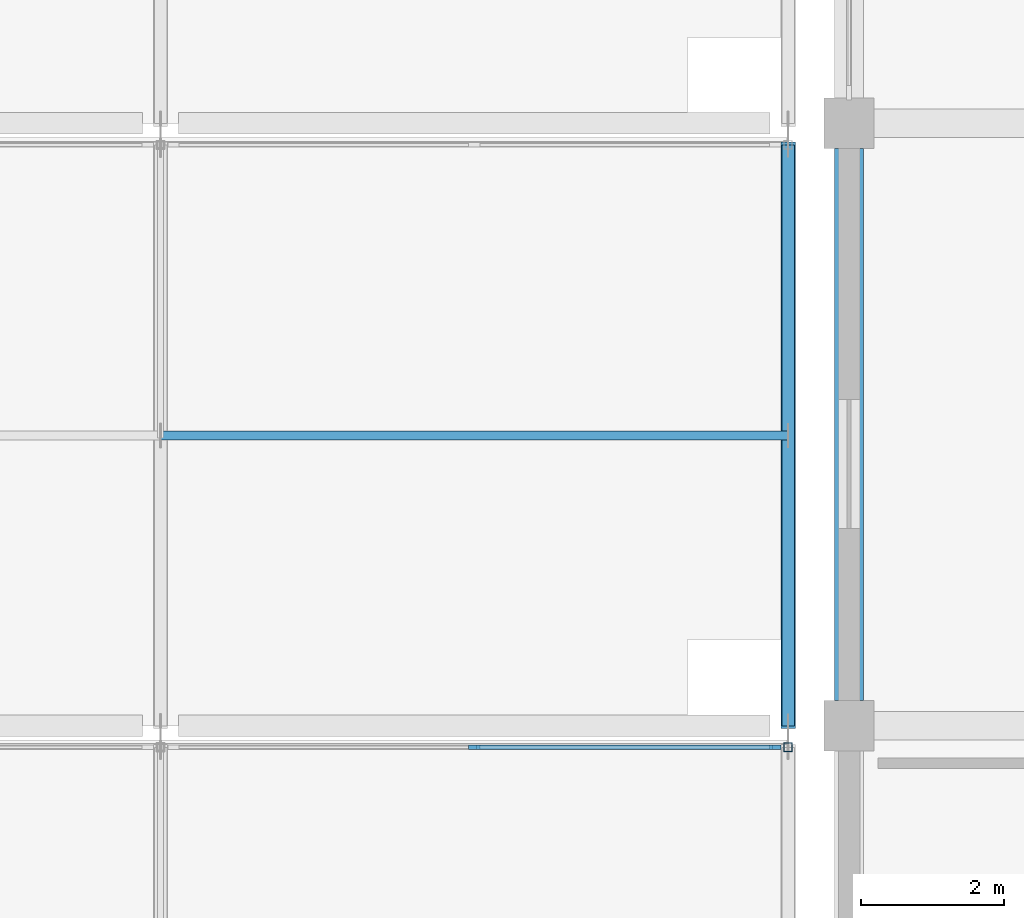
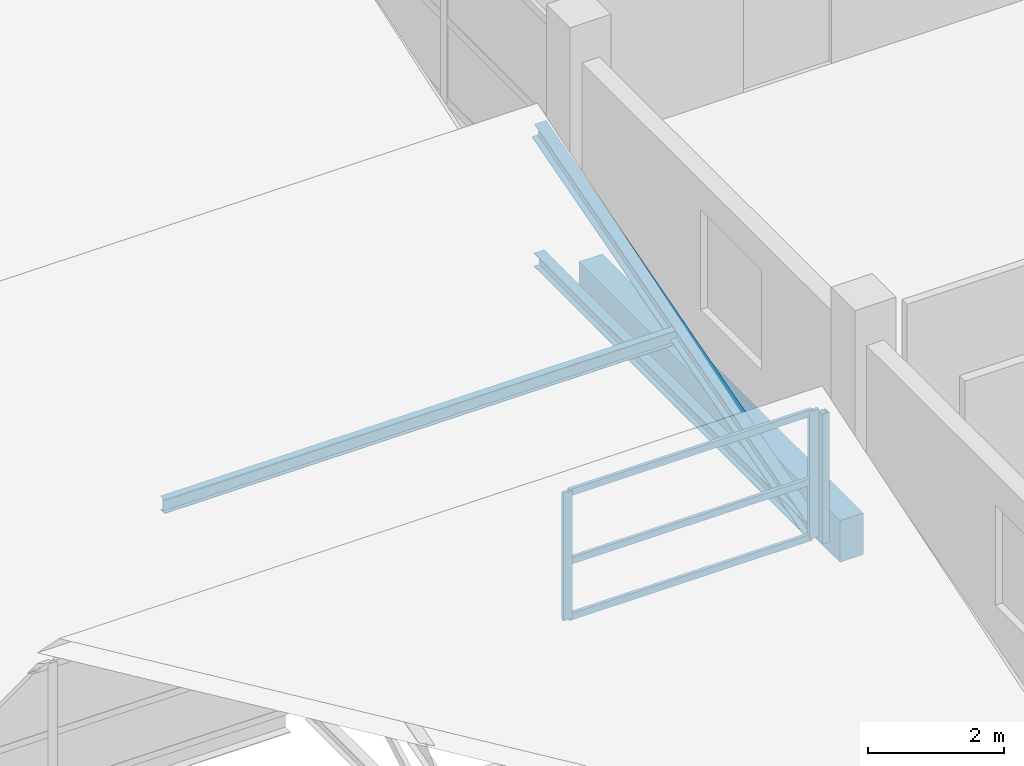
# One storey, part 22 of 40: 9 members, 1 beam, 1 element without a shape of its own.
"""IFC4 building model written with IfcOpenShell, lengths in metres."""

from ifc_helpers import new_model, si_unit, direction, frame, origin, origin_2d, place, context, subcontext, project, spatial, rectangle, hollow_rectangle, i_section, extrude, material, material_profile, profile_set, type_object, element, aggregate, save


model = new_model("IFC4")

# Units and contexts
model_context = context("Model", 3, precision=1e-05, world=origin(), true_north=direction((0.0, 1.0)))
body_context = subcontext(model_context, "Body", "Model", "MODEL_VIEW")
ifc_project = project(units=[si_unit("LENGTHUNIT", "METRE"), si_unit("AREAUNIT", "SQUARE_METRE"), si_unit("VOLUMEUNIT", "CUBIC_METRE"), si_unit("PLANEANGLEUNIT", "RADIAN"), si_unit("MASSUNIT", "GRAM", prefix="KILO")], contexts=[model_context])

# Site, building, storey
site_placement = place(None, origin())
site = spatial("IfcSite", under=ifc_project, at=site_placement, CompositionType="ELEMENT")
building_placement = place(site_placement, origin())
building = spatial("IfcBuilding", under=site, at=building_placement, Name="Brinegate Botanical Conservatory", CompositionType="ELEMENT")
storey_placement = place(building_placement, frame((0.0, 0.0, 19.199951171875)))
storey = spatial("IfcBuildingStorey", under=building, at=storey_placement, Name="L05", CompositionType="ELEMENT", Elevation=19.199951171875)

# Beam
ifc_material_1 = material(Name="Concrete C50/60", Category="concrete")
ifc_material_profile_1 = material_profile(ifc_material_1, rectangle(XDim=0.39990234375, YDim=0.75, at=origin_2d()), Name="RC BM 400x750")
ifc_profile_set_1 = profile_set([ifc_material_profile_1], Name="Concrete C50/60")
beam_type = type_object("IfcBeamType", Name="Beam_BM-T1", PredefinedType="BEAM", material=ifc_profile_set_1)
beam_placement = place(storey_placement, frame((122.0, 95.550048828125, -0.614990234375), z_axis=(0.0, 1.0, 0.0), x_axis=(-1.0, 0.0, 0.0)))
element("IfcBeam", 1, at=beam_placement, inside=storey, type_object=beam_type, Name="Beam BM-T1 L05 16:M-N", PredefinedType="BEAM", context=body_context, shape_type="SweptSolid", body=[
    extrude(rectangle(XDim=0.39990234375, YDim=0.75, at=origin_2d()), origin(), (0.0, 0.0, 1.0), 7.699951171875),
])

# Curtain wall, members
ifc_material_2 = material(Name="Thermally broken anodised aluminium AW-6063-T6", Category="aluminium")
curtain_wall_type = type_object("IfcCurtainWallType", Name="CW_CW-SAW", PredefinedType="USERDEFINED", material=ifc_material_2)
curtain_wall_placement = place(storey_placement, origin())
curtain_wall = element("IfcCurtainWall", 2, at=curtain_wall_placement, inside=storey, type_object=curtain_wall_type, Name="Sawtooth north-light clerestory B1.8", ObjectType="FACTORY CURTAIN WALL", PredefinedType="USERDEFINED")
ifc_material_profile_2 = material_profile(ifc_material_2, rectangle(XDim=0.06005859375, YDim=0.159912109375, at=origin_2d()), Name="ALUM MULLION 60x160")
ifc_profile_set_2 = profile_set([ifc_material_profile_2], Name="Thermally broken anodised aluminium AW-6063-T6")
member_type_1 = type_object("IfcMemberType", Name="Member_ML-01", PredefinedType="MULLION", material=ifc_profile_set_2)
member_1_placement = place(storey_placement, frame((116.77490234375, 94.89990234375, 0.150146484375), z_axis=(0.0, 0.0, 1.0), x_axis=(0.0, 1.0, 0.0)))
member_1 = element("IfcMember", 3, at=member_1_placement, type_object=member_type_1, Name="CW-SAW mullion 2", PredefinedType="MULLION", context=body_context, shape_type="SweptSolid", body=[
    extrude(rectangle(XDim=0.06005859375, YDim=0.159912109375, at=origin_2d()), origin(), (0.0, 0.0, 1.0), 2.2998046875),
])
member_2_placement = place(storey_placement, frame((120.969970703125, 94.89990234375, 0.150146484375), z_axis=(0.0, 0.0, 1.0), x_axis=(0.0, 1.0, 0.0)))
member_2 = element("IfcMember", 4, at=member_2_placement, type_object=member_type_1, Name="CW-SAW mullion 3", PredefinedType="MULLION", context=body_context, shape_type="SweptSolid", body=[
    extrude(rectangle(XDim=0.06005859375, YDim=0.159912109375, at=origin_2d()), origin(), (0.0, 0.0, 1.0), 2.2998046875),
])

# Members
ifc_material_3 = material(Name="Structural steel Q355B / S355", Category="steel")
ifc_material_profile_3 = material_profile(ifc_material_3, i_section(OverallWidth=0.199951171875, OverallDepth=0.2939453125, WebThickness=0.008056640625, FlangeThickness=0.011962890625, at=origin_2d()), Name="HM 294x200x8x12")
ifc_profile_set_3 = profile_set([ifc_material_profile_3], Name="Structural steel Q355B / S355")
member_type_2 = type_object("IfcMemberType", Name="Member_SC-01", PredefinedType="CHORD", material=ifc_profile_set_3)
member_3_placement = place(storey_placement, frame((121.14990234375, 95.199951171875, 0.02001953125), z_axis=(0.0, 0.961028334039, 0.276449889085), x_axis=(-1.0, 0.0, 0.0)))
element("IfcMember", 5, at=member_3_placement, inside=storey, type_object=member_type_2, Name="Sawtooth rafter chord SC-01 B2.T9", PredefinedType="CHORD", context=body_context, shape_type="SweptSolid", body=[
    extrude(i_section(OverallWidth=0.199951171875, OverallDepth=0.2939453125, WebThickness=0.008056640625, FlangeThickness=0.011962890625, at=origin_2d()), origin(), (0.0, 0.0, 1.0), 8.428466796875),
])
ifc_material_profile_4 = material_profile(ifc_material_3, i_section(OverallWidth=0.175048828125, OverallDepth=0.243896484375, WebThickness=0.007080078125, FlangeThickness=0.010986328125, at=origin_2d()), Name="HM 244x175x7x11")
ifc_profile_set_4 = profile_set([ifc_material_profile_4], Name="Structural steel Q355B / S355")
member_type_3 = type_object("IfcMemberType", Name="Member_SC-02", PredefinedType="CHORD", material=ifc_profile_set_4)
member_4_placement = place(storey_placement, frame((121.14990234375, 95.199951171875, 0.02001953125), z_axis=(0.0, 1.0, 0.0), x_axis=(-1.0, 0.0, 0.0)))
element("IfcMember", 6, at=member_4_placement, inside=storey, type_object=member_type_3, Name="Sawtooth bottom tie SC-02 B2.T9", PredefinedType="CHORD", context=body_context, shape_type="SweptSolid", body=[
    extrude(i_section(OverallWidth=0.175048828125, OverallDepth=0.243896484375, WebThickness=0.007080078125, FlangeThickness=0.010986328125, at=origin_2d()), origin(), (0.0, 0.0, 1.0), 8.10009765625),
])
ifc_material_profile_5 = material_profile(ifc_material_3, i_section(OverallWidth=0.125, OverallDepth=0.25, WebThickness=0.006103515625, FlangeThickness=0.009033203125, at=origin_2d()), Name="HN 250x125x6x9")
ifc_profile_set_5 = profile_set([ifc_material_profile_5], Name="Structural steel Q355B / S355")
member_type_4 = type_object("IfcMemberType", Name="Member_SPU-01", PredefinedType="PURLIN", material=ifc_profile_set_5)
member_5_placement = place(storey_placement, frame((112.39990234375, 99.25, 1.094970703125), z_axis=(1.0, 0.0, 0.0), x_axis=(0.0, 1.0, 0.0)))
element("IfcMember", 7, at=member_5_placement, inside=storey, type_object=member_type_4, Name="Sawtooth roof purlin SPU-01 B2.8", PredefinedType="PURLIN", context=body_context, shape_type="SweptSolid", body=[
    extrude(i_section(OverallWidth=0.125, OverallDepth=0.25, WebThickness=0.006103515625, FlangeThickness=0.009033203125, at=origin_2d()), origin(), (0.0, 0.0, 1.0), 8.75),
])
ifc_material_profile_6 = material_profile(ifc_material_3, hollow_rectangle(XDim=0.1201171875, YDim=0.1201171875, WallThickness=0.006103515625, at=origin_2d()), Name="SHS 120x120x6")
ifc_profile_set_6 = profile_set([ifc_material_profile_6], Name="Structural steel Q355B / S355")
member_type_5 = type_object("IfcMemberType", Name="Member_SS-01", PredefinedType="STRUT", material=ifc_profile_set_6)
member_6_placement = place(storey_placement, frame((121.14990234375, 94.89990234375, 0.02001953125), z_axis=(0.0, 0.0, 1.0), x_axis=(1.0, 0.0, 0.0)))
element("IfcMember", 8, at=member_6_placement, inside=storey, type_object=member_type_5, Name="Sawtooth north clerestory post SS-01 B1.T9", PredefinedType="STRUT", context=body_context, shape_type="SweptSolid", body=[
    extrude(hollow_rectangle(XDim=0.1201171875, YDim=0.1201171875, WallThickness=0.006103515625, at=origin_2d()), origin(), (0.0, 0.0, 1.0), 2.330078125),
])

# Member
ifc_material_profile_7 = material_profile(ifc_material_2, rectangle(XDim=0.06005859375, YDim=0.1201171875, at=origin_2d()), Name="ALUM TRANSOM 60x120")
ifc_profile_set_7 = profile_set([ifc_material_profile_7], Name="Thermally broken anodised aluminium AW-6063-T6")
member_type_6 = type_object("IfcMemberType", Name="Member_TR-01", PredefinedType="USERDEFINED", material=ifc_profile_set_7)
member_7_placement = place(storey_placement, frame((116.804931640625, 94.89990234375, 0.179931640625), z_axis=(1.0, 0.0, 0.0), x_axis=(0.0, 1.0, 0.0)))
member_7 = element("IfcMember", 9, at=member_7_placement, type_object=member_type_6, Name="CW-SAW transom 2.1", ObjectType="TRANSOM", PredefinedType="USERDEFINED", context=body_context, shape_type="SweptSolid", body=[
    extrude(rectangle(XDim=0.06005859375, YDim=0.1201171875, at=origin_2d()), origin(), (0.0, 0.0, 1.0), 4.135009765625),
])

member_8_placement = place(storey_placement, frame((116.804931640625, 94.89990234375, 1.18505859375), z_axis=(1.0, 0.0, 0.0), x_axis=(0.0, 1.0, 0.0)))
member_8 = element("IfcMember", 10, at=member_8_placement, type_object=member_type_6, Name="CW-SAW transom 2.2", ObjectType="TRANSOM", PredefinedType="USERDEFINED", context=body_context, shape_type="SweptSolid", body=[
    extrude(rectangle(XDim=0.06005859375, YDim=0.1201171875, at=origin_2d()), origin(), (0.0, 0.0, 1.0), 4.135009765625),
])

member_9_placement = place(storey_placement, frame((116.804931640625, 94.89990234375, 2.420166015625), z_axis=(1.0, 0.0, 0.0), x_axis=(0.0, 1.0, 0.0)))
member_9 = element("IfcMember", 11, at=member_9_placement, type_object=member_type_6, Name="CW-SAW transom 2.3", ObjectType="TRANSOM", PredefinedType="USERDEFINED", context=body_context, shape_type="SweptSolid", body=[
    extrude(rectangle(XDim=0.06005859375, YDim=0.1201171875, at=origin_2d()), origin(), (0.0, 0.0, 1.0), 4.135009765625),
])

aggregate(curtain_wall, [member_1, member_2, member_7, member_8, member_9])

save(model, "model.ifc")
